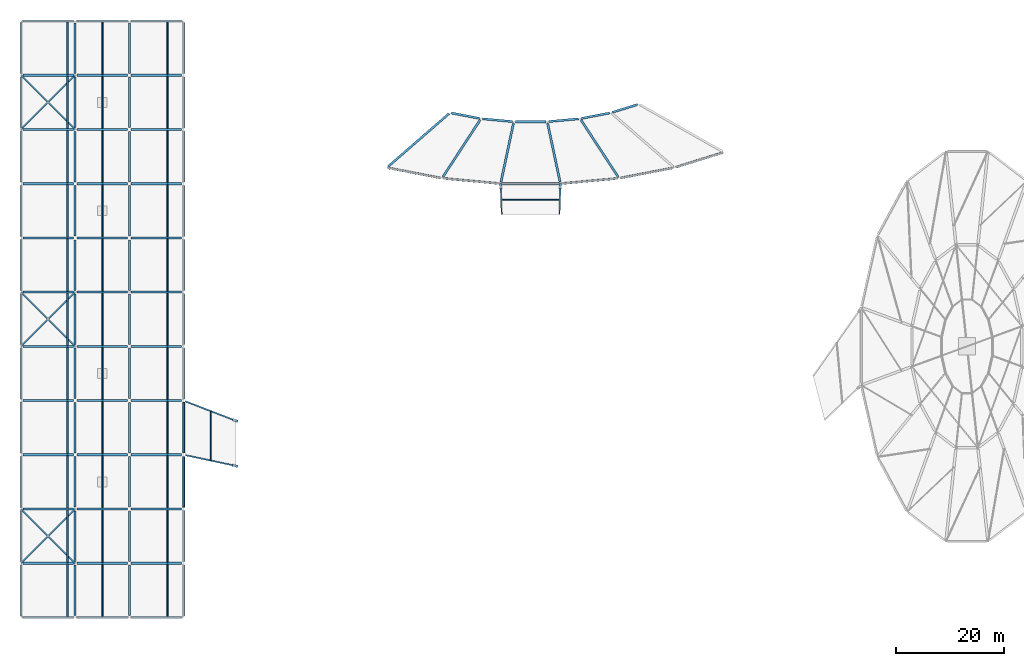
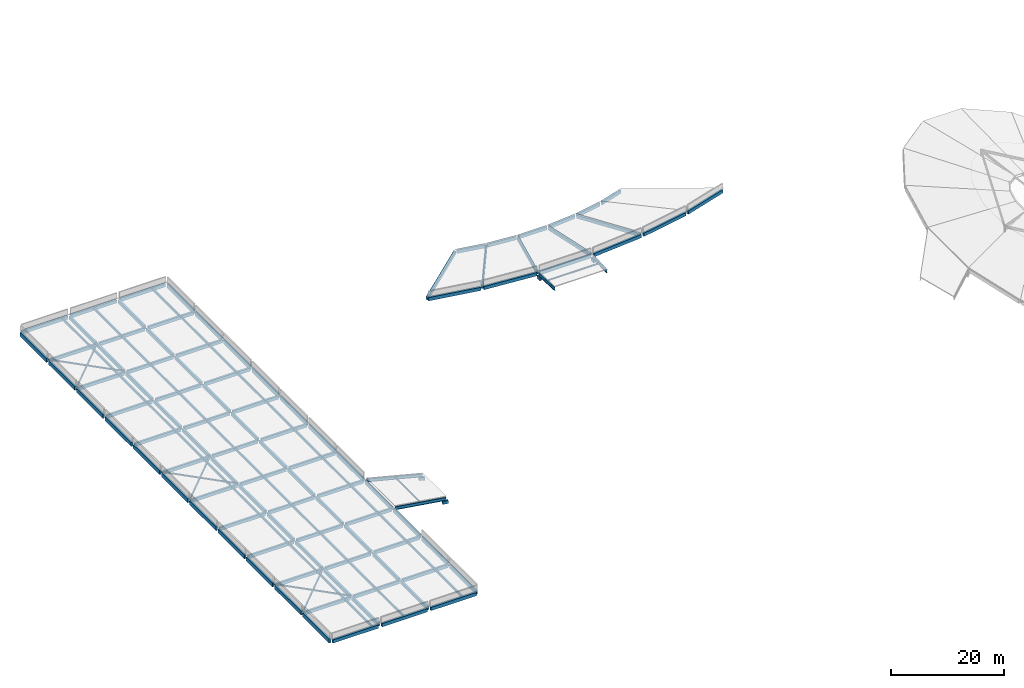
# One storey, part 5 of 39: 140 beams, 9 members.
"""IFC4 building model written with IfcOpenShell, lengths in metres."""

import ifcopenshell
import ifcopenshell.guid

model = None  # the IFC model being written
_history = None  # IfcOwnerHistory: only IFC2X3 demands one
_inside = {}  # id of a spatial element -> (the spatial element, [elements in it])
_under = {}  # id of a project, library or spatial element -> (it, [spatial elements below it])
_declared = {}  # id of a project -> (the project, [libraries it declares])
_typed = {}  # id of a type object -> (the type object, [elements of that type])
_made_of = {}  # id of a material, layer set ... -> (it, [elements and type objects made of it])


def new_model(schema):
    """Start an empty IFC model of exactly this schema.

    Asked for "IFC4X3", IfcOpenShell would pick the latest addendum, in which some entities
    have other attributes; the version numbers below select the first issue.
    IFC2X3 requires an IfcOwnerHistory on every rooted entity: one is made here for all.
    """
    global model, _history
    if schema == "IFC4X3":
        model = ifcopenshell.file(schema_version=(4, 3, 0, 0))
    else:
        model = ifcopenshell.file(schema=schema)
    _inside.clear()
    _under.clear()
    _declared.clear()
    _typed.clear()
    _made_of.clear()
    _history = None
    if model.schema == "IFC2X3":
        org = make("IfcOrganization", Name="unknown")
        user = make(
            "IfcPersonAndOrganization",
            ThePerson=make("IfcPerson", FamilyName="unknown"),
            TheOrganization=org,
        )
        app = make(
            "IfcApplication",
            ApplicationDeveloper=org,
            Version="unknown",
            ApplicationFullName="unknown",
            ApplicationIdentifier="unknown",
        )
        _history = make(
            "IfcOwnerHistory",
            OwningUser=user,
            OwningApplication=app,
            ChangeAction="ADDED",
            CreationDate=0,
        )
    return model


def make(cls, **values):
    """One entity of the class cls with the attributes given. An attribute that is None is left unset."""
    return model.create_entity(
        cls, **{name: value for name, value in values.items() if value is not None}
    )


def rooted(cls, **values):
    """An entity with a GlobalId (a new one), such as an element, a storey or a relation."""
    return make(cls, GlobalId=ifcopenshell.guid.new(), OwnerHistory=_history, **values)


def si_unit(unit_type, name, prefix=None):
    """IfcSIUnit, for example si_unit("LENGTHUNIT", "METRE", prefix="MILLI")."""
    return make("IfcSIUnit", UnitType=unit_type, Prefix=prefix, Name=name)


def assignment(units):
    """IfcUnitAssignment: the units of a project."""
    return None if units is None else make("IfcUnitAssignment", Units=units)


def point(xyz):
    """IfcCartesianPoint."""
    return None if xyz is None else make("IfcCartesianPoint", Coordinates=xyz)


def direction(xyz):
    """IfcDirection."""
    return None if xyz is None else make("IfcDirection", DirectionRatios=xyz)


def frame(location, z_axis=None, x_axis=None):
    """IfcAxis2Placement3D, a coordinate frame: its origin and axes. An axis left out is left unset."""
    return make(
        "IfcAxis2Placement3D",
        Location=point(location),
        Axis=direction(z_axis),
        RefDirection=direction(x_axis),
    )


def frame_2d(location, x_axis=None):
    """IfcAxis2Placement2D, a coordinate frame in the plane: its origin and x axis."""
    return make(
        "IfcAxis2Placement2D", Location=point(location), RefDirection=direction(x_axis)
    )


def origin():
    """The frame at (0, 0, 0) with its axes left unset."""
    return frame((0.0, 0.0, 0.0))


def origin_2d():
    """The frame at (0, 0) in the plane with its x axis left unset."""
    return frame_2d((0.0, 0.0))


def place(relative_to, where):
    """IfcLocalPlacement: puts the frame where relative to a parent placement (None: the world)."""
    return make(
        "IfcLocalPlacement", PlacementRelTo=relative_to, RelativePlacement=where
    )


def context(
    kind, dimensions, precision=None, world=None, true_north=None, identifier=None
):
    """IfcGeometricRepresentationContext, for example the 3D "Model" context."""
    return make(
        "IfcGeometricRepresentationContext",
        ContextIdentifier=identifier,
        ContextType=kind,
        CoordinateSpaceDimension=dimensions,
        Precision=precision,
        WorldCoordinateSystem=world,
        TrueNorth=true_north,
    )


def subcontext(parent, identifier, kind, view, scale=None):
    """IfcGeometricRepresentationSubContext, for example "Body" below "Model"."""
    return make(
        "IfcGeometricRepresentationSubContext",
        ContextIdentifier=identifier,
        ContextType=kind,
        ParentContext=parent,
        TargetScale=scale,
        TargetView=view,
    )


def project(units=None, contexts=None):
    """IfcProject with its units and contexts."""
    return rooted(
        "IfcProject",
        Name="project",
        RepresentationContexts=contexts,
        UnitsInContext=assignment(units),
    )


def spatial(cls, under=None, at=None, **own):
    """A site, building, storey or space (cls), placed at a placement, below another one or the project."""
    s = rooted(cls, ObjectPlacement=at, **own)
    if under is not None:
        _under.setdefault(under.id(), (under, []))[1].append(s)
    return s


def profile(cls, at=None, kind="AREA", **sizes):
    """A parametric profile (cls). Its sizes go by their IFC names, for example OverallWidth=200.0."""
    return make(cls, ProfileType=kind, Position=at, **sizes)


def rectangle(**sizes):
    """IfcRectangleProfileDef."""
    return profile("IfcRectangleProfileDef", **sizes)


def hollow_rectangle(**sizes):
    """IfcRectangleHollowProfileDef."""
    return profile("IfcRectangleHollowProfileDef", **sizes)


def i_section(**sizes):
    """IfcIShapeProfileDef."""
    return profile("IfcIShapeProfileDef", **sizes)


def extrude(swept, where, along, depth):
    """IfcExtrudedAreaSolid: the profile swept, set in the frame where, extruded along a direction by depth."""
    return make(
        "IfcExtrudedAreaSolid",
        SweptArea=swept,
        Position=where,
        ExtrudedDirection=direction(along),
        Depth=depth,
    )


def shape(context_of_items, identifier, shape_type, items):
    """IfcShapeRepresentation: the items that make up one representation, for example the "Body"."""
    return make(
        "IfcShapeRepresentation",
        ContextOfItems=context_of_items,
        RepresentationIdentifier=identifier,
        RepresentationType=shape_type,
        Items=items,
    )


def material(Name=None, Category=None):
    """IfcMaterial."""
    return make("IfcMaterial", Name=Name, Category=Category)


def material_profile(
    of_material, cross_section, Name=None, Category=None, Priority=None
):
    """IfcMaterialProfile: a cross section and its material."""
    return make(
        "IfcMaterialProfile",
        Name=Name,
        Material=of_material,
        Profile=cross_section,
        Priority=Priority,
        Category=Category,
    )


def profile_set(profiles, Name=None, composite=None):
    """IfcMaterialProfileSet."""
    return make(
        "IfcMaterialProfileSet",
        Name=Name,
        MaterialProfiles=profiles,
        CompositeProfile=composite,
    )


def made_of(thing, what):
    """Note that an element or type object is made of a material, layer set ...; save() writes the relation."""
    if what is not None:
        _made_of.setdefault(what.id(), (what, []))[1].append(thing)
    return thing


def type_object(cls, material=None, **own):
    """A type object (cls), such as IfcWallType, which elements share."""
    return made_of(rooted(cls, **own), material)


def element(
    cls,
    number,
    at=None,
    inside=None,
    cuts=None,
    type_object=None,
    material=None,
    context=None,
    identifier="Body",
    shape_type=None,
    held_by="IfcProductDefinitionShape",
    body=None,
    shapes=None,
    **own,
):
    """One element of the class cls, such as IfcWall. Its Tag is "e" and its number.

    at: its placement. inside: the storey or other place that contains it. cuts: it is an
    opening in that element (IfcRelVoidsElement). A single representation is given by context,
    identifier, shape_type and body (its items); several are given by shapes. held_by: the class
    of the entity that holds the representations. save() writes the other relations.
    """
    e = rooted(cls, Tag="e%d" % number, ObjectPlacement=at, **own)
    if body is not None:
        shapes = [shape(context, identifier, shape_type, body)]
    if shapes is not None:
        e.Representation = make(held_by, Representations=shapes)
    if inside is not None:
        _inside.setdefault(inside.id(), (inside, []))[1].append(e)
    if cuts is not None:
        rooted(
            "IfcRelVoidsElement", RelatingBuildingElement=cuts, RelatedOpeningElement=e
        )
    if type_object is not None:
        _typed.setdefault(type_object.id(), (type_object, []))[1].append(e)
    return made_of(e, material)


def aggregate(whole, parts):
    """IfcRelAggregates: a whole, such as a stair, and the parts it consists of."""
    return rooted("IfcRelAggregates", RelatingObject=whole, RelatedObjects=parts)


def save(model, path):
    """Write the relations noted so far, then the file.

    IfcRelAggregates (storeys below a building ...), IfcRelContainedInSpatialStructure (elements
    in a storey), IfcRelDefinesByType, IfcRelAssociatesMaterial and IfcRelDeclares: one each for
    every whole, place, type object, material and project.
    """
    for whole, parts in _under.values():
        aggregate(whole, parts)
    for where, things in _inside.values():
        rooted(
            "IfcRelContainedInSpatialStructure",
            RelatedElements=things,
            RelatingStructure=where,
        )
    for kind, things in _typed.values():
        rooted("IfcRelDefinesByType", RelatedObjects=things, RelatingType=kind)
    for what, things in _made_of.values():
        rooted("IfcRelAssociatesMaterial", RelatedObjects=things, RelatingMaterial=what)
    for by, libraries in _declared.values():
        rooted("IfcRelDeclares", RelatingContext=by, RelatedDefinitions=libraries)
    model.write(path)


model = new_model("IFC4")

# Units and contexts
model_context = context("Model", 3, precision=1e-05, world=origin(), true_north=direction((0.0, 1.0)))
body_context = subcontext(model_context, "Body", "Model", "MODEL_VIEW")
ifc_project = project(units=[si_unit("LENGTHUNIT", "METRE"), si_unit("AREAUNIT", "SQUARE_METRE"), si_unit("VOLUMEUNIT", "CUBIC_METRE"), si_unit("PLANEANGLEUNIT", "RADIAN"), si_unit("MASSUNIT", "GRAM", prefix="KILO")], contexts=[model_context])

# Site, building, storey
site_placement = place(None, origin())
site = spatial("IfcSite", under=ifc_project, at=site_placement, CompositionType="ELEMENT")
building_placement = place(site_placement, origin())
building = spatial("IfcBuilding", under=site, at=building_placement, Name="Corvandel Quay Wholesale Market", CompositionType="ELEMENT")
storey_placement = place(building_placement, frame((0.0, 0.0, 15.0)))
storey = spatial("IfcBuildingStorey", under=building, at=storey_placement, Name="L03", CompositionType="ELEMENT", Elevation=15.0)

# Beams
ifc_material_1 = material(Name="Steel A992 Grade 50", Category="steel")
ifc_material_profile_1 = material_profile(ifc_material_1, i_section(OverallWidth=0.1669921875, OverallDepth=0.318115234375, WebThickness=0.007568359375, FlangeThickness=0.01318359375, at=origin_2d()), Name="W12X35")
ifc_profile_set_1 = profile_set([ifc_material_profile_1], Name="Steel A992 Grade 50")
beam_type_1 = type_object("IfcBeamType", Name="Bridge Floor Steel Beam SB02 W12X35", PredefinedType="BEAM", material=ifc_profile_set_1)
beam_1_placement = place(storey_placement, frame((108.591796875, 87.02490234375, -0.360107421875), z_axis=(1.0, 0.0, 0.0), x_axis=(0.0, 1.0, 0.0)))
element("IfcBeam", 1, at=beam_1_placement, inside=storey, type_object=beam_type_1, Name="Beam BM-1775", PredefinedType="BEAM", context=body_context, shape_type="SweptSolid", body=[
    extrude(i_section(OverallWidth=0.1669921875, OverallDepth=0.318115234375, WebThickness=0.007568359375, FlangeThickness=0.01318359375, at=origin_2d()), origin(), (0.0, 0.0, 1.0), 10.81640625),
])
beam_2_placement = place(storey_placement, frame((55.0, 38.94140625, -0.360107421875), z_axis=(0.0, 1.0, 0.0), x_axis=(-1.0, 0.0, 0.0)))
element("IfcBeam", 2, at=beam_2_placement, inside=storey, type_object=beam_type_1, Name="Beam BM-1790", PredefinedType="BEAM", context=body_context, shape_type="SweptSolid", body=[
    extrude(i_section(OverallWidth=0.1669921875, OverallDepth=0.318115234375, WebThickness=0.007568359375, FlangeThickness=0.01318359375, at=origin_2d()), origin(), (0.0, 0.0, 1.0), 9.1171875),
])
ifc_material_profile_2 = material_profile(ifc_material_1, i_section(OverallWidth=0.25390625, OverallDepth=0.68310546875, WebThickness=0.012451171875, FlangeThickness=0.018798828125, at=origin_2d()), Name="W27X94")
ifc_profile_set_2 = profile_set([ifc_material_profile_2], Name="Steel A992 Grade 50")
beam_type_2 = type_object("IfcBeamType", Name="Bridge Link Steel Girder SG01 W27X94", PredefinedType="USERDEFINED", material=ifc_profile_set_2)
for number, where, z_axis, x_axis, name in (
    (3, (108.669921875, 84.33984375, -0.54150390625), (-0.032850378821, 0.999460280657, 0.0), (-0.999460280657, -0.032850378821, 0.0), "Beam BM-1772"),
    (4, (119.330078125, 84.33984375, -0.54150390625), (0.032850378821, 0.999460280657, 0.0), (-0.999460280657, 0.032850378821, 0.0), "Beam BM-1774"),
):
    element("IfcBeam", number, at=place(storey_placement, frame(where, z_axis=z_axis, x_axis=x_axis)), inside=storey, type_object=beam_type_2, Name=name, ObjectType="GIRDER", PredefinedType="USERDEFINED", context=body_context, shape_type="SweptSolid", body=[
        extrude(i_section(OverallWidth=0.25390625, OverallDepth=0.68310546875, WebThickness=0.012451171875, FlangeThickness=0.018798828125, at=origin_2d()), origin(), (0.0, 0.0, 1.0), 5.373291015625),
    ])
beam_3_placement = place(storey_placement, frame((50.33251953125, 39.928955078125, -0.54150390625), z_axis=(0.977919784606, -0.208980608851, 0.0), x_axis=(0.208980608851, 0.977919784606, 0.0)))
element("IfcBeam", 5, at=beam_3_placement, inside=storey, type_object=beam_type_2, Name="Beam BM-1787", ObjectType="GIRDER", PredefinedType="USERDEFINED", context=body_context, shape_type="SweptSolid", body=[
    extrude(i_section(OverallWidth=0.25390625, OverallDepth=0.68310546875, WebThickness=0.012451171875, FlangeThickness=0.018798828125, at=origin_2d()), origin(), (0.0, 0.0, 1.0), 9.545654296875),
])
beam_4_placement = place(storey_placement, frame((50.317138671875, 49.87744140625, -0.54150390625), z_axis=(0.932820055557, -0.360342536971, 0.0), x_axis=(0.360342536971, 0.932820055557, 0.0)))
element("IfcBeam", 6, at=beam_4_placement, inside=storey, type_object=beam_type_2, Name="Beam BM-1789", ObjectType="GIRDER", PredefinedType="USERDEFINED", context=body_context, shape_type="SweptSolid", body=[
    extrude(i_section(OverallWidth=0.25390625, OverallDepth=0.68310546875, WebThickness=0.012451171875, FlangeThickness=0.018798828125, at=origin_2d()), origin(), (0.0, 0.0, 1.0), 10.040283203125),
])
ifc_material_2 = material(Name="Precast concrete C45/55", Category="concrete")
ifc_material_profile_3 = material_profile(ifc_material_2, rectangle(XDim=0.35009765625, YDim=0.85009765625, at=origin_2d()), Name="PC-SPN-350x850")
ifc_profile_set_3 = profile_set([ifc_material_profile_3], Name="Precast concrete C45/55")
beam_type_3 = type_object("IfcBeamType", Name="Perimeter Precast Spandrel SP01 350x850", PredefinedType="SPANDREL", material=ifc_profile_set_3)
for number, where, z_axis, x_axis, name in (
    (7, (20.0, 10.344970703125, -0.675048828125), (0.0, 1.0, 0.0), (-1.0, 0.0, 0.0), "Beam BM-1318"),
    (8, (20.0, 20.344970703125, -0.675048828125), (0.0, 1.0, 0.0), (-1.0, 0.0, 0.0), "Beam BM-1319"),
    (9, (20.0, 30.344970703125, -0.675048828125), (0.0, 1.0, 0.0), (-1.0, 0.0, 0.0), "Beam BM-1320"),
    (10, (20.0, 40.344970703125, -0.675048828125), (0.0, 1.0, 0.0), (-1.0, 0.0, 0.0), "Beam BM-1321"),
    (11, (20.0, 50.344970703125, -0.675048828125), (0.0, 1.0, 0.0), (-1.0, 0.0, 0.0), "Beam BM-1322"),
    (12, (20.0, 60.344970703125, -0.675048828125), (0.0, 1.0, 0.0), (-1.0, 0.0, 0.0), "Beam BM-1323"),
    (13, (20.0, 70.344970703125, -0.675048828125), (0.0, 1.0, 0.0), (-1.0, 0.0, 0.0), "Beam BM-1324"),
    (14, (20.0, 80.344970703125, -0.675048828125), (0.0, 1.0, 0.0), (-1.0, 0.0, 0.0), "Beam BM-1325"),
    (15, (20.0, 90.344970703125, -0.675048828125), (0.0, 1.0, 0.0), (-1.0, 0.0, 0.0), "Beam BM-1326"),
    (16, (20.0, 100.344970703125, -0.675048828125), (0.0, 1.0, 0.0), (-1.0, 0.0, 0.0), "Beam BM-1327"),
    (17, (20.0, 110.344970703125, -0.675048828125), (0.0, 1.0, 0.0), (-1.0, 0.0, 0.0), "Beam BM-1328"),
    (18, (50.0, 10.344970703125, -0.675048828125), (0.0, 1.0, 0.0), (-1.0, 0.0, 0.0), "Beam BM-1351"),
    (19, (50.0, 20.344970703125, -0.675048828125), (0.0, 1.0, 0.0), (-1.0, 0.0, 0.0), "Beam BM-1352"),
    (20, (50.0, 30.344970703125, -0.675048828125), (0.0, 1.0, 0.0), (-1.0, 0.0, 0.0), "Beam BM-1353"),
    (21, (50.0, 40.344970703125, -0.675048828125), (0.0, 1.0, 0.0), (-1.0, 0.0, 0.0), "Beam BM-1354"),
    (22, (50.0, 50.344970703125, -0.675048828125), (0.0, 1.0, 0.0), (-1.0, 0.0, 0.0), "Beam BM-1355"),
    (23, (50.0, 60.344970703125, -0.675048828125), (0.0, 1.0, 0.0), (-1.0, 0.0, 0.0), "Beam BM-1356"),
    (24, (50.0, 70.344970703125, -0.675048828125), (0.0, 1.0, 0.0), (-1.0, 0.0, 0.0), "Beam BM-1357"),
    (25, (50.0, 80.344970703125, -0.675048828125), (0.0, 1.0, 0.0), (-1.0, 0.0, 0.0), "Beam BM-1358"),
    (26, (50.0, 90.344970703125, -0.675048828125), (0.0, 1.0, 0.0), (-1.0, 0.0, 0.0), "Beam BM-1359"),
    (27, (50.0, 100.344970703125, -0.675048828125), (0.0, 1.0, 0.0), (-1.0, 0.0, 0.0), "Beam BM-1360"),
    (28, (50.0, 110.344970703125, -0.675048828125), (0.0, 1.0, 0.0), (-1.0, 0.0, 0.0), "Beam BM-1361"),
):
    element("IfcBeam", number, at=place(storey_placement, frame(where, z_axis=z_axis, x_axis=x_axis)), inside=storey, type_object=beam_type_3, Name=name, PredefinedType="SPANDREL", context=body_context, shape_type="SweptSolid", body=[
        extrude(rectangle(XDim=0.35009765625, YDim=0.85009765625, at=origin_2d()), origin(), (0.0, 0.0, 1.0), 9.31005859375),
    ])

# Members
ifc_material_3 = material(Name="Steel A500 Grade C", Category="steel")
ifc_material_profile_4 = material_profile(ifc_material_3, hollow_rectangle(XDim=0.25390625, YDim=0.25390625, WallThickness=0.01171875, at=origin_2d()), Name="HSS10X10X1/2")
ifc_profile_set_4 = profile_set([ifc_material_profile_4], Name="Steel A500 Grade C")
member_type = type_object("IfcMemberType", Name="Primary Lateral Frame Brace BR01 HSS10X10", PredefinedType="BRACE", material=ifc_profile_set_4)
member_1_placement = place(storey_placement, frame((20.0, 20.0, -0.300048828125), z_axis=(0.707106781187, 0.707106781187, 0.0), x_axis=(-0.707106781187, 0.707106781187, 0.0)))
element("IfcMember", 29, at=member_1_placement, inside=storey, type_object=member_type, Name="Member MEM-0127", PredefinedType="BRACE", context=body_context, shape_type="SweptSolid", body=[
    extrude(hollow_rectangle(XDim=0.25390625, YDim=0.25390625, WallThickness=0.01171875, at=origin_2d()), origin(), (0.0, 0.0, 1.0), 14.14208984375),
])
for number, where, z_axis, x_axis, name in (
    (30, (30.0, 20.0, -0.300048828125), (-0.707106781187, 0.707106781187, 0.0), (-0.707106781187, -0.707106781187, 0.0), "Member MEM-0128"),
    (31, (24.932861328125, 25.067138671875, -0.300048828125), (-0.707106781187, 0.707106781187, 0.0), (-0.707106781187, -0.707106781187, 0.0), "Member MEM-0128B"),
):
    element("IfcMember", number, at=place(storey_placement, frame(where, z_axis=z_axis, x_axis=x_axis)), inside=storey, type_object=member_type, Name=name, PredefinedType="BRACE", context=body_context, shape_type="SweptSolid", body=[
        extrude(hollow_rectangle(XDim=0.25390625, YDim=0.25390625, WallThickness=0.01171875, at=origin_2d()), origin(), (0.0, 0.0, 1.0), 6.97607421875),
    ])
member_2_placement = place(storey_placement, frame((20.0, 60.0, -0.300048828125), z_axis=(0.707106781187, 0.707106781187, 0.0), x_axis=(-0.707106781187, 0.707106781187, 0.0)))
element("IfcMember", 32, at=member_2_placement, inside=storey, type_object=member_type, Name="Member MEM-0129", PredefinedType="BRACE", context=body_context, shape_type="SweptSolid", body=[
    extrude(hollow_rectangle(XDim=0.25390625, YDim=0.25390625, WallThickness=0.01171875, at=origin_2d()), origin(), (0.0, 0.0, 1.0), 14.14208984375),
])
for number, where, z_axis, x_axis, name in (
    (33, (30.0, 60.0, -0.300048828125), (-0.707106781187, 0.707106781187, 0.0), (-0.707106781187, -0.707106781187, 0.0), "Member MEM-0130"),
    (34, (24.932861328125, 65.067138671875, -0.300048828125), (-0.707106781187, 0.707106781187, 0.0), (-0.707106781187, -0.707106781187, 0.0), "Member MEM-0130B"),
):
    element("IfcMember", number, at=place(storey_placement, frame(where, z_axis=z_axis, x_axis=x_axis)), inside=storey, type_object=member_type, Name=name, PredefinedType="BRACE", context=body_context, shape_type="SweptSolid", body=[
        extrude(hollow_rectangle(XDim=0.25390625, YDim=0.25390625, WallThickness=0.01171875, at=origin_2d()), origin(), (0.0, 0.0, 1.0), 6.97607421875),
    ])
member_3_placement = place(storey_placement, frame((20.0, 100.0, -0.300048828125), z_axis=(0.707106781187, 0.707106781187, 0.0), x_axis=(-0.707106781187, 0.707106781187, 0.0)))
element("IfcMember", 35, at=member_3_placement, inside=storey, type_object=member_type, Name="Member MEM-0131", PredefinedType="BRACE", context=body_context, shape_type="SweptSolid", body=[
    extrude(hollow_rectangle(XDim=0.25390625, YDim=0.25390625, WallThickness=0.01171875, at=origin_2d()), origin(), (0.0, 0.0, 1.0), 14.14208984375),
])
for number, where, z_axis, x_axis, name in (
    (36, (30.0, 100.0, -0.300048828125), (-0.707106781187, 0.707106781187, 0.0), (-0.707106781187, -0.707106781187, 0.0), "Member MEM-0132"),
    (37, (24.932861328125, 105.067138671875, -0.300048828125), (-0.707106781187, 0.707106781187, 0.0), (-0.707106781187, -0.707106781187, 0.0), "Member MEM-0132B"),
):
    element("IfcMember", number, at=place(storey_placement, frame(where, z_axis=z_axis, x_axis=x_axis)), inside=storey, type_object=member_type, Name=name, PredefinedType="BRACE", context=body_context, shape_type="SweptSolid", body=[
        extrude(hollow_rectangle(XDim=0.25390625, YDim=0.25390625, WallThickness=0.01171875, at=origin_2d()), origin(), (0.0, 0.0, 1.0), 6.97607421875),
    ])

# Beams
ifc_material_profile_5 = material_profile(ifc_material_2, rectangle(XDim=0.39990234375, YDim=0.699951171875, at=origin_2d()), Name="PC-GIR-400x700")
ifc_profile_set_5 = profile_set([ifc_material_profile_5], Name="Precast concrete C45/55")
beam_type_4 = type_object("IfcBeamType", Name="Roof Deck Primary Girder G07 400x700", PredefinedType="USERDEFINED", material=ifc_profile_set_5)
beam_5_placement = place(storey_placement, frame((87.763671875, 92.9033203125, -0.550048828125), z_axis=(0.982001642988, -0.188872372697, 0.0), x_axis=(0.188872372697, 0.982001642988, 0.0)))
element("IfcBeam", 38, at=beam_5_placement, inside=storey, type_object=beam_type_4, Name="Beam BM-0674", ObjectType="GIRDER", PredefinedType="USERDEFINED", context=body_context, shape_type="SweptSolid", body=[
    extrude(rectangle(XDim=0.39990234375, YDim=0.699951171875, at=origin_2d()), origin(), (0.0, 0.0, 1.0), 9.787841796875),
])
beam_6_placement = place(storey_placement, frame((99.41015625, 103.0458984375, -0.550048828125), z_axis=(0.982036159843, -0.188692821169, 0.0), x_axis=(0.188692821169, 0.982036159843, 0.0)))
element("IfcBeam", 39, at=beam_6_placement, inside=storey, type_object=beam_type_4, Name="Beam BM-0675", ObjectType="GIRDER", PredefinedType="USERDEFINED", context=body_context, shape_type="SweptSolid", body=[
    extrude(rectangle(XDim=0.39990234375, YDim=0.699951171875, at=origin_2d()), origin(), (0.0, 0.0, 1.0), 5.2724609375),
])
beam_7_placement = place(storey_placement, frame((87.69677734375, 93.152587890625, -0.550048828125), z_axis=(0.754950895284, 0.655781324612, 0.0), x_axis=(-0.655781324612, 0.754950895284, 0.0)))
element("IfcBeam", 40, at=beam_7_placement, inside=storey, type_object=beam_type_4, Name="Beam BM-0676", ObjectType="GIRDER", PredefinedType="USERDEFINED", context=body_context, shape_type="SweptSolid", body=[
    extrude(rectangle(XDim=0.39990234375, YDim=0.699951171875, at=origin_2d()), origin(), (0.0, 0.0, 1.0), 14.894287109375),
])
beam_8_placement = place(storey_placement, frame((97.958740234375, 90.971923828125, -0.550048828125), z_axis=(0.995763265624, -0.09195389515, 0.0), x_axis=(0.09195389515, 0.995763265624, 0.0)))
element("IfcBeam", 41, at=beam_8_placement, inside=storey, type_object=beam_type_4, Name="Beam BM-0683", ObjectType="GIRDER", PredefinedType="USERDEFINED", context=body_context, shape_type="SweptSolid", body=[
    extrude(rectangle(XDim=0.39990234375, YDim=0.699951171875, at=origin_2d()), origin(), (0.0, 0.0, 1.0), 10.27490234375),
])
beam_9_placement = place(storey_placement, frame((105.121826171875, 101.97509765625, -0.550048828125), z_axis=(0.995755261221, -0.09204053319, 0.0), x_axis=(0.09204053319, 0.995755261221, 0.0)))
element("IfcBeam", 42, at=beam_9_placement, inside=storey, type_object=beam_type_4, Name="Beam BM-0684", ObjectType="GIRDER", PredefinedType="USERDEFINED", context=body_context, shape_type="SweptSolid", body=[
    extrude(rectangle(XDim=0.39990234375, YDim=0.699951171875, at=origin_2d()), origin(), (0.0, 0.0, 1.0), 5.543701171875),
])
beam_10_placement = place(storey_placement, frame((97.826416015625, 91.24609375, -0.550048828125), z_axis=(0.5469888564, 0.837139887339, 0.0), x_axis=(-0.837139887339, 0.5469888564, 0.0)))
element("IfcBeam", 43, at=beam_10_placement, inside=storey, type_object=beam_type_4, Name="Beam BM-0685", ObjectType="GIRDER", PredefinedType="USERDEFINED", context=body_context, shape_type="SweptSolid", body=[
    extrude(rectangle(XDim=0.39990234375, YDim=0.699951171875, at=origin_2d()), origin(), (0.0, 0.0, 1.0), 12.575927734375),
])
beam_11_placement = place(storey_placement, frame((108.779052734375, 90.0, -0.550048828125), z_axis=(1.0, 0.0, 0.0), x_axis=(0.0, 1.0, 0.0)))
element("IfcBeam", 44, at=beam_11_placement, inside=storey, type_object=beam_type_4, Name="Beam BM-0692", ObjectType="GIRDER", PredefinedType="USERDEFINED", context=body_context, shape_type="SweptSolid", body=[
    extrude(rectangle(XDim=0.39990234375, YDim=0.699951171875, at=origin_2d()), origin(), (0.0, 0.0, 1.0), 10.44189453125),
])
beam_12_placement = place(storey_placement, frame((111.180908203125, 101.43994140625, -0.550048828125), z_axis=(1.0, 0.0, 0.0), x_axis=(0.0, 1.0, 0.0)))
element("IfcBeam", 45, at=beam_12_placement, inside=storey, type_object=beam_type_4, Name="Beam BM-0693", ObjectType="GIRDER", PredefinedType="USERDEFINED", context=body_context, shape_type="SweptSolid", body=[
    extrude(rectangle(XDim=0.39990234375, YDim=0.699951171875, at=origin_2d()), origin(), (0.0, 0.0, 1.0), 5.63818359375),
])
beam_13_placement = place(storey_placement, frame((108.545166015625, 90.28857421875, -0.550048828125), z_axis=(0.207539194477, 0.97822670315, 0.0), x_axis=(-0.97822670315, 0.207539194477, 0.0)))
element("IfcBeam", 46, at=beam_13_placement, inside=storey, type_object=beam_type_4, Name="Beam BM-0694", ObjectType="GIRDER", PredefinedType="USERDEFINED", context=body_context, shape_type="SweptSolid", body=[
    extrude(rectangle(XDim=0.39990234375, YDim=0.699951171875, at=origin_2d()), origin(), (0.0, 0.0, 1.0), 11.129638671875),
])
beam_14_placement = place(storey_placement, frame((119.809814453125, 90.027099609375, -0.550048828125), z_axis=(0.995763265624, 0.09195389515, 0.0), x_axis=(-0.09195389515, 0.995763265624, 0.0)))
element("IfcBeam", 47, at=beam_14_placement, inside=storey, type_object=beam_type_4, Name="Beam BM-0702", ObjectType="GIRDER", PredefinedType="USERDEFINED", context=body_context, shape_type="SweptSolid", body=[
    extrude(rectangle(XDim=0.39990234375, YDim=0.699951171875, at=origin_2d()), origin(), (0.0, 0.0, 1.0), 10.27490234375),
])
beam_15_placement = place(storey_placement, frame((117.35791015625, 101.46484375, -0.550048828125), z_axis=(0.995755261221, 0.09204053319, 0.0), x_axis=(-0.09204053319, 0.995755261221, 0.0)))
element("IfcBeam", 48, at=beam_15_placement, inside=storey, type_object=beam_type_4, Name="Beam BM-0703", ObjectType="GIRDER", PredefinedType="USERDEFINED", context=body_context, shape_type="SweptSolid", body=[
    extrude(rectangle(XDim=0.39990234375, YDim=0.699951171875, at=origin_2d()), origin(), (0.0, 0.0, 1.0), 5.543701171875),
])
beam_16_placement = place(storey_placement, frame((119.454833984375, 90.28857421875, -0.550048828125), z_axis=(-0.207539194477, 0.97822670315, 0.0), x_axis=(-0.97822670315, -0.207539194477, 0.0)))
element("IfcBeam", 49, at=beam_16_placement, inside=storey, type_object=beam_type_4, Name="Beam BM-0704", ObjectType="GIRDER", PredefinedType="USERDEFINED", context=body_context, shape_type="SweptSolid", body=[
    extrude(rectangle(XDim=0.39990234375, YDim=0.699951171875, at=origin_2d()), origin(), (0.0, 0.0, 1.0), 11.129638671875),
])
beam_17_placement = place(storey_placement, frame((130.624755859375, 91.0546875, -0.550048828125), z_axis=(0.982001642988, 0.188872372697, 0.0), x_axis=(-0.188872372697, 0.982001642988, 0.0)))
element("IfcBeam", 50, at=beam_17_placement, inside=storey, type_object=beam_type_4, Name="Beam BM-0712", ObjectType="GIRDER", PredefinedType="USERDEFINED", context=body_context, shape_type="SweptSolid", body=[
    extrude(rectangle(XDim=0.39990234375, YDim=0.699951171875, at=origin_2d()), origin(), (0.0, 0.0, 1.0), 9.787841796875),
])
beam_18_placement = place(storey_placement, frame((123.412109375, 102.051025390625, -0.550048828125), z_axis=(0.982036159843, 0.188692821169, 0.0), x_axis=(-0.188692821169, 0.982036159843, 0.0)))
element("IfcBeam", 51, at=beam_18_placement, inside=storey, type_object=beam_type_4, Name="Beam BM-0713", ObjectType="GIRDER", PredefinedType="USERDEFINED", context=body_context, shape_type="SweptSolid", body=[
    extrude(rectangle(XDim=0.39990234375, YDim=0.699951171875, at=origin_2d()), origin(), (0.0, 0.0, 1.0), 5.2724609375),
])
beam_19_placement = place(storey_placement, frame((130.173583984375, 91.24609375, -0.550048828125), z_axis=(-0.5469888564, 0.837139887339, 0.0), x_axis=(-0.837139887339, -0.5469888564, 0.0)))
element("IfcBeam", 52, at=beam_19_placement, inside=storey, type_object=beam_type_4, Name="Beam BM-0714", ObjectType="GIRDER", PredefinedType="USERDEFINED", context=body_context, shape_type="SweptSolid", body=[
    extrude(rectangle(XDim=0.39990234375, YDim=0.699951171875, at=origin_2d()), origin(), (0.0, 0.0, 1.0), 12.575927734375),
])
beam_20_placement = place(storey_placement, frame((140.807861328125, 93.04638671875, -0.550048828125), z_axis=(0.955108283091, 0.296256928309, 0.0), x_axis=(-0.296256928309, 0.955108283091, 0.0)))
element("IfcBeam", 53, at=beam_20_placement, inside=storey, type_object=beam_type_4, Name="Beam BM-0722", ObjectType="GIRDER", PredefinedType="USERDEFINED", context=body_context, shape_type="SweptSolid", body=[
    extrude(rectangle(XDim=0.39990234375, YDim=0.699951171875, at=origin_2d()), origin(), (0.0, 0.0, 1.0), 9.012939453125),
])
beam_21_placement = place(storey_placement, frame((129.11279296875, 103.177001953125, -0.550048828125), z_axis=(0.955053791412, 0.296432547992, 0.0), x_axis=(-0.296432547992, 0.955053791412, 0.0)))
element("IfcBeam", 54, at=beam_21_placement, inside=storey, type_object=beam_type_4, Name="Beam BM-0723", ObjectType="GIRDER", PredefinedType="USERDEFINED", context=body_context, shape_type="SweptSolid", body=[
    extrude(rectangle(XDim=0.39990234375, YDim=0.699951171875, at=origin_2d()), origin(), (0.0, 0.0, 1.0), 4.837890625),
])
for number, where, z_axis, x_axis, name in (
    (55, (20.344970703125, 10.0, -0.60009765625), (1.0, 0.0, 0.0), (0.0, 1.0, 0.0), "Beam BM-1282"),
    (56, (30.344970703125, 10.0, -0.60009765625), (1.0, 0.0, 0.0), (0.0, 1.0, 0.0), "Beam BM-1283"),
    (57, (40.344970703125, 10.0, -0.60009765625), (1.0, 0.0, 0.0), (0.0, 1.0, 0.0), "Beam BM-1284"),
    (58, (20.344970703125, 20.0, -0.60009765625), (1.0, 0.0, 0.0), (0.0, 1.0, 0.0), "Beam BM-1285"),
    (59, (30.344970703125, 20.0, -0.60009765625), (1.0, 0.0, 0.0), (0.0, 1.0, 0.0), "Beam BM-1286"),
    (60, (40.344970703125, 20.0, -0.60009765625), (1.0, 0.0, 0.0), (0.0, 1.0, 0.0), "Beam BM-1287"),
    (61, (20.344970703125, 30.0, -0.60009765625), (1.0, 0.0, 0.0), (0.0, 1.0, 0.0), "Beam BM-1288"),
    (62, (30.344970703125, 30.0, -0.60009765625), (1.0, 0.0, 0.0), (0.0, 1.0, 0.0), "Beam BM-1289"),
    (63, (40.344970703125, 30.0, -0.60009765625), (1.0, 0.0, 0.0), (0.0, 1.0, 0.0), "Beam BM-1290"),
    (64, (20.344970703125, 40.0, -0.60009765625), (1.0, 0.0, 0.0), (0.0, 1.0, 0.0), "Beam BM-1291"),
    (65, (30.344970703125, 40.0, -0.60009765625), (1.0, 0.0, 0.0), (0.0, 1.0, 0.0), "Beam BM-1292"),
    (66, (40.344970703125, 40.0, -0.60009765625), (1.0, 0.0, 0.0), (0.0, 1.0, 0.0), "Beam BM-1293"),
    (67, (20.344970703125, 50.0, -0.60009765625), (1.0, 0.0, 0.0), (0.0, 1.0, 0.0), "Beam BM-1294"),
    (68, (30.344970703125, 50.0, -0.60009765625), (1.0, 0.0, 0.0), (0.0, 1.0, 0.0), "Beam BM-1295"),
    (69, (40.344970703125, 50.0, -0.60009765625), (1.0, 0.0, 0.0), (0.0, 1.0, 0.0), "Beam BM-1296"),
    (70, (20.344970703125, 60.0, -0.60009765625), (1.0, 0.0, 0.0), (0.0, 1.0, 0.0), "Beam BM-1297"),
    (71, (30.344970703125, 60.0, -0.60009765625), (1.0, 0.0, 0.0), (0.0, 1.0, 0.0), "Beam BM-1298"),
    (72, (40.344970703125, 60.0, -0.60009765625), (1.0, 0.0, 0.0), (0.0, 1.0, 0.0), "Beam BM-1299"),
    (73, (20.344970703125, 70.0, -0.60009765625), (1.0, 0.0, 0.0), (0.0, 1.0, 0.0), "Beam BM-1300"),
    (74, (30.344970703125, 70.0, -0.60009765625), (1.0, 0.0, 0.0), (0.0, 1.0, 0.0), "Beam BM-1301"),
    (75, (40.344970703125, 70.0, -0.60009765625), (1.0, 0.0, 0.0), (0.0, 1.0, 0.0), "Beam BM-1302"),
    (76, (20.344970703125, 80.0, -0.60009765625), (1.0, 0.0, 0.0), (0.0, 1.0, 0.0), "Beam BM-1303"),
    (77, (30.344970703125, 80.0, -0.60009765625), (1.0, 0.0, 0.0), (0.0, 1.0, 0.0), "Beam BM-1304"),
    (78, (40.344970703125, 80.0, -0.60009765625), (1.0, 0.0, 0.0), (0.0, 1.0, 0.0), "Beam BM-1305"),
    (79, (20.344970703125, 90.0, -0.60009765625), (1.0, 0.0, 0.0), (0.0, 1.0, 0.0), "Beam BM-1306"),
    (80, (30.344970703125, 90.0, -0.60009765625), (1.0, 0.0, 0.0), (0.0, 1.0, 0.0), "Beam BM-1307"),
    (81, (40.344970703125, 90.0, -0.60009765625), (1.0, 0.0, 0.0), (0.0, 1.0, 0.0), "Beam BM-1308"),
    (82, (20.344970703125, 100.0, -0.60009765625), (1.0, 0.0, 0.0), (0.0, 1.0, 0.0), "Beam BM-1309"),
    (83, (30.344970703125, 100.0, -0.60009765625), (1.0, 0.0, 0.0), (0.0, 1.0, 0.0), "Beam BM-1310"),
    (84, (40.344970703125, 100.0, -0.60009765625), (1.0, 0.0, 0.0), (0.0, 1.0, 0.0), "Beam BM-1311"),
    (85, (20.344970703125, 110.0, -0.60009765625), (1.0, 0.0, 0.0), (0.0, 1.0, 0.0), "Beam BM-1312"),
    (86, (30.344970703125, 110.0, -0.60009765625), (1.0, 0.0, 0.0), (0.0, 1.0, 0.0), "Beam BM-1313"),
    (87, (40.344970703125, 110.0, -0.60009765625), (1.0, 0.0, 0.0), (0.0, 1.0, 0.0), "Beam BM-1314"),
    (88, (20.344970703125, 120.0, -0.60009765625), (1.0, 0.0, 0.0), (0.0, 1.0, 0.0), "Beam BM-1315"),
    (89, (30.344970703125, 120.0, -0.60009765625), (1.0, 0.0, 0.0), (0.0, 1.0, 0.0), "Beam BM-1316"),
    (90, (40.344970703125, 120.0, -0.60009765625), (1.0, 0.0, 0.0), (0.0, 1.0, 0.0), "Beam BM-1317"),
    (91, (30.0, 10.344970703125, -0.60009765625), (0.0, 1.0, 0.0), (-1.0, 0.0, 0.0), "Beam BM-1329"),
    (92, (30.0, 20.344970703125, -0.60009765625), (0.0, 1.0, 0.0), (-1.0, 0.0, 0.0), "Beam BM-1330"),
    (93, (30.0, 30.344970703125, -0.60009765625), (0.0, 1.0, 0.0), (-1.0, 0.0, 0.0), "Beam BM-1331"),
    (94, (30.0, 40.344970703125, -0.60009765625), (0.0, 1.0, 0.0), (-1.0, 0.0, 0.0), "Beam BM-1332"),
    (95, (30.0, 50.344970703125, -0.60009765625), (0.0, 1.0, 0.0), (-1.0, 0.0, 0.0), "Beam BM-1333"),
    (96, (30.0, 60.344970703125, -0.60009765625), (0.0, 1.0, 0.0), (-1.0, 0.0, 0.0), "Beam BM-1334"),
    (97, (30.0, 70.344970703125, -0.60009765625), (0.0, 1.0, 0.0), (-1.0, 0.0, 0.0), "Beam BM-1335"),
    (98, (30.0, 80.344970703125, -0.60009765625), (0.0, 1.0, 0.0), (-1.0, 0.0, 0.0), "Beam BM-1336"),
    (99, (30.0, 90.344970703125, -0.60009765625), (0.0, 1.0, 0.0), (-1.0, 0.0, 0.0), "Beam BM-1337"),
    (100, (30.0, 100.344970703125, -0.60009765625), (0.0, 1.0, 0.0), (-1.0, 0.0, 0.0), "Beam BM-1338"),
    (101, (30.0, 110.344970703125, -0.60009765625), (0.0, 1.0, 0.0), (-1.0, 0.0, 0.0), "Beam BM-1339"),
    (102, (40.0, 10.344970703125, -0.60009765625), (0.0, 1.0, 0.0), (-1.0, 0.0, 0.0), "Beam BM-1340"),
    (103, (40.0, 20.344970703125, -0.60009765625), (0.0, 1.0, 0.0), (-1.0, 0.0, 0.0), "Beam BM-1341"),
    (104, (40.0, 30.344970703125, -0.60009765625), (0.0, 1.0, 0.0), (-1.0, 0.0, 0.0), "Beam BM-1342"),
    (105, (40.0, 40.344970703125, -0.60009765625), (0.0, 1.0, 0.0), (-1.0, 0.0, 0.0), "Beam BM-1343"),
    (106, (40.0, 50.344970703125, -0.60009765625), (0.0, 1.0, 0.0), (-1.0, 0.0, 0.0), "Beam BM-1344"),
    (107, (40.0, 60.344970703125, -0.60009765625), (0.0, 1.0, 0.0), (-1.0, 0.0, 0.0), "Beam BM-1345"),
    (108, (40.0, 70.344970703125, -0.60009765625), (0.0, 1.0, 0.0), (-1.0, 0.0, 0.0), "Beam BM-1346"),
    (109, (40.0, 80.344970703125, -0.60009765625), (0.0, 1.0, 0.0), (-1.0, 0.0, 0.0), "Beam BM-1347"),
    (110, (40.0, 90.344970703125, -0.60009765625), (0.0, 1.0, 0.0), (-1.0, 0.0, 0.0), "Beam BM-1348"),
    (111, (40.0, 100.344970703125, -0.60009765625), (0.0, 1.0, 0.0), (-1.0, 0.0, 0.0), "Beam BM-1349"),
    (112, (40.0, 110.344970703125, -0.60009765625), (0.0, 1.0, 0.0), (-1.0, 0.0, 0.0), "Beam BM-1350"),
):
    element("IfcBeam", number, at=place(storey_placement, frame(where, z_axis=z_axis, x_axis=x_axis)), inside=storey, type_object=beam_type_4, Name=name, ObjectType="GIRDER", PredefinedType="USERDEFINED", context=body_context, shape_type="SweptSolid", body=[
        extrude(rectangle(XDim=0.39990234375, YDim=0.699951171875, at=origin_2d()), origin(), (0.0, 0.0, 1.0), 9.31005859375),
    ])
ifc_material_profile_6 = material_profile(ifc_material_2, rectangle(XDim=0.280029296875, YDim=0.449951171875, at=origin_2d()), Name="PC-BM-280x450")
ifc_profile_set_6 = profile_set([ifc_material_profile_6], Name="Precast concrete C45/55")
beam_type_5 = type_object("IfcBeamType", Name="Roof Secondary Beam B05 280x450", PredefinedType="BEAM", material=ifc_profile_set_6)
for number, where, z_axis, x_axis, name in (
    (113, (28.60009765625, 10.18994140625, -0.47509765625), (0.0, 1.0, 0.0), (-1.0, 0.0, 0.0), "Beam BM-1362"),
    (114, (28.60009765625, 20.18994140625, -0.47509765625), (0.0, 1.0, 0.0), (-1.0, 0.0, 0.0), "Beam BM-1363"),
    (115, (28.60009765625, 30.18994140625, -0.47509765625), (0.0, 1.0, 0.0), (-1.0, 0.0, 0.0), "Beam BM-1364"),
    (116, (28.60009765625, 40.18994140625, -0.47509765625), (0.0, 1.0, 0.0), (-1.0, 0.0, 0.0), "Beam BM-1365"),
    (117, (28.60009765625, 50.18994140625, -0.47509765625), (0.0, 1.0, 0.0), (-1.0, 0.0, 0.0), "Beam BM-1366"),
    (118, (28.60009765625, 60.18994140625, -0.47509765625), (0.0, 1.0, 0.0), (-1.0, 0.0, 0.0), "Beam BM-1367"),
    (119, (28.60009765625, 70.18994140625, -0.47509765625), (0.0, 1.0, 0.0), (-1.0, 0.0, 0.0), "Beam BM-1368"),
    (120, (28.60009765625, 80.18994140625, -0.47509765625), (0.0, 1.0, 0.0), (-1.0, 0.0, 0.0), "Beam BM-1369"),
    (121, (28.60009765625, 90.18994140625, -0.47509765625), (0.0, 1.0, 0.0), (-1.0, 0.0, 0.0), "Beam BM-1370"),
    (122, (28.60009765625, 100.18994140625, -0.47509765625), (0.0, 1.0, 0.0), (-1.0, 0.0, 0.0), "Beam BM-1371"),
    (123, (28.60009765625, 110.18994140625, -0.47509765625), (0.0, 1.0, 0.0), (-1.0, 0.0, 0.0), "Beam BM-1372"),
    (124, (35.0, 10.18994140625, -0.47509765625), (0.0, 1.0, 0.0), (-1.0, 0.0, 0.0), "Beam BM-1373"),
    (125, (35.0, 20.18994140625, -0.47509765625), (0.0, 1.0, 0.0), (-1.0, 0.0, 0.0), "Beam BM-1374"),
    (126, (35.0, 30.18994140625, -0.47509765625), (0.0, 1.0, 0.0), (-1.0, 0.0, 0.0), "Beam BM-1375"),
    (127, (35.0, 40.18994140625, -0.47509765625), (0.0, 1.0, 0.0), (-1.0, 0.0, 0.0), "Beam BM-1376"),
    (128, (35.0, 50.18994140625, -0.47509765625), (0.0, 1.0, 0.0), (-1.0, 0.0, 0.0), "Beam BM-1377"),
    (129, (35.0, 60.18994140625, -0.47509765625), (0.0, 1.0, 0.0), (-1.0, 0.0, 0.0), "Beam BM-1378"),
    (130, (35.0, 70.18994140625, -0.47509765625), (0.0, 1.0, 0.0), (-1.0, 0.0, 0.0), "Beam BM-1379"),
    (131, (35.0, 80.18994140625, -0.47509765625), (0.0, 1.0, 0.0), (-1.0, 0.0, 0.0), "Beam BM-1380"),
    (132, (35.0, 90.18994140625, -0.47509765625), (0.0, 1.0, 0.0), (-1.0, 0.0, 0.0), "Beam BM-1381"),
    (133, (35.0, 100.18994140625, -0.47509765625), (0.0, 1.0, 0.0), (-1.0, 0.0, 0.0), "Beam BM-1382"),
    (134, (35.0, 110.18994140625, -0.47509765625), (0.0, 1.0, 0.0), (-1.0, 0.0, 0.0), "Beam BM-1383"),
    (135, (47.0, 10.18994140625, -0.47509765625), (0.0, 1.0, 0.0), (-1.0, 0.0, 0.0), "Beam BM-1384"),
    (136, (47.0, 20.18994140625, -0.47509765625), (0.0, 1.0, 0.0), (-1.0, 0.0, 0.0), "Beam BM-1385"),
    (137, (47.0, 30.18994140625, -0.47509765625), (0.0, 1.0, 0.0), (-1.0, 0.0, 0.0), "Beam BM-1386"),
    (138, (47.0, 40.18994140625, -0.47509765625), (0.0, 1.0, 0.0), (-1.0, 0.0, 0.0), "Beam BM-1387"),
    (139, (47.0, 50.18994140625, -0.47509765625), (0.0, 1.0, 0.0), (-1.0, 0.0, 0.0), "Beam BM-1388"),
    (140, (47.0, 60.18994140625, -0.47509765625), (0.0, 1.0, 0.0), (-1.0, 0.0, 0.0), "Beam BM-1389"),
    (141, (47.0, 70.18994140625, -0.47509765625), (0.0, 1.0, 0.0), (-1.0, 0.0, 0.0), "Beam BM-1390"),
    (142, (47.0, 80.18994140625, -0.47509765625), (0.0, 1.0, 0.0), (-1.0, 0.0, 0.0), "Beam BM-1391"),
    (143, (47.0, 90.18994140625, -0.47509765625), (0.0, 1.0, 0.0), (-1.0, 0.0, 0.0), "Beam BM-1392"),
    (144, (47.0, 100.18994140625, -0.47509765625), (0.0, 1.0, 0.0), (-1.0, 0.0, 0.0), "Beam BM-1393"),
    (145, (47.0, 110.18994140625, -0.47509765625), (0.0, 1.0, 0.0), (-1.0, 0.0, 0.0), "Beam BM-1394"),
):
    element("IfcBeam", number, at=place(storey_placement, frame(where, z_axis=z_axis, x_axis=x_axis)), inside=storey, type_object=beam_type_5, Name=name, PredefinedType="BEAM", context=body_context, shape_type="SweptSolid", body=[
        extrude(rectangle(XDim=0.280029296875, YDim=0.449951171875, at=origin_2d()), origin(), (0.0, 0.0, 1.0), 9.6201171875),
    ])
ifc_material_profile_7 = material_profile(ifc_material_2, rectangle(XDim=0.449951171875, YDim=0.64990234375, at=origin_2d()), Name="PC-COR-680x650")
ifc_profile_set_7 = profile_set([ifc_material_profile_7], Name="Precast concrete C45/55")
beam_type_6 = type_object("IfcBeamType", Name="Seismic Joint Precast Corbel CB01 680x650", PredefinedType="BEAM", material=ifc_profile_set_7)
for number, where, z_axis, x_axis, name in (
    (146, (108.48388671875, 90.0, -1.2080078125), (0.032883502807, -0.999459191385, 0.0), (0.999459191385, 0.032883502807, 0.0), "Beam BM-1771"),
    (147, (119.51611328125, 90.0, -1.2080078125), (-0.032883502807, -0.999459191385, 0.0), (0.999459191385, -0.032883502807, 0.0), "Beam BM-1773"),
):
    element("IfcBeam", number, at=place(storey_placement, frame(where, z_axis=z_axis, x_axis=x_axis)), inside=storey, type_object=beam_type_6, Name=name, PredefinedType="BEAM", context=body_context, shape_type="SweptSolid", body=[
        extrude(rectangle(XDim=0.449951171875, YDim=0.64990234375, at=origin_2d()), origin(), (0.0, 0.0, 1.0), 0.97998046875),
    ])
for number, where, z_axis, x_axis, name in (
    (148, (60.0, 37.863037109375, -1.2080078125), (-0.977906347005, 0.209043479898, 0.0), (-0.209043479898, -0.977906347005, 0.0), "Beam BM-1786"),
    (149, (60.0, 46.136962890625, -1.2080078125), (-0.932745603211, 0.36053521283, 0.0), (-0.36053521283, -0.932745603211, 0.0), "Beam BM-1788"),
):
    element("IfcBeam", number, at=place(storey_placement, frame(where, z_axis=z_axis, x_axis=x_axis)), inside=storey, type_object=beam_type_6, Name=name, PredefinedType="BEAM", context=body_context, shape_type="SweptSolid", body=[
        extrude(rectangle(XDim=0.449951171875, YDim=0.64990234375, at=origin_2d()), origin(), (0.0, 0.0, 1.0), 1.030029296875),
    ])

save(model, "model.ifc")
